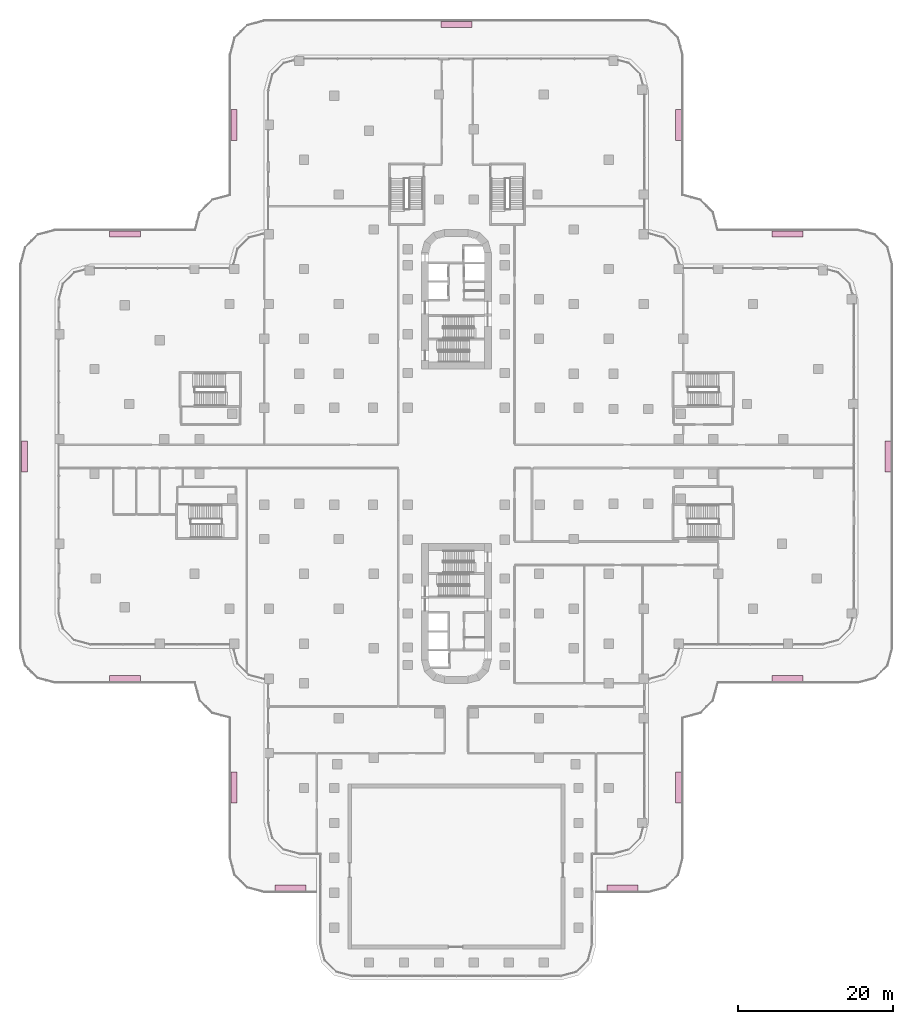
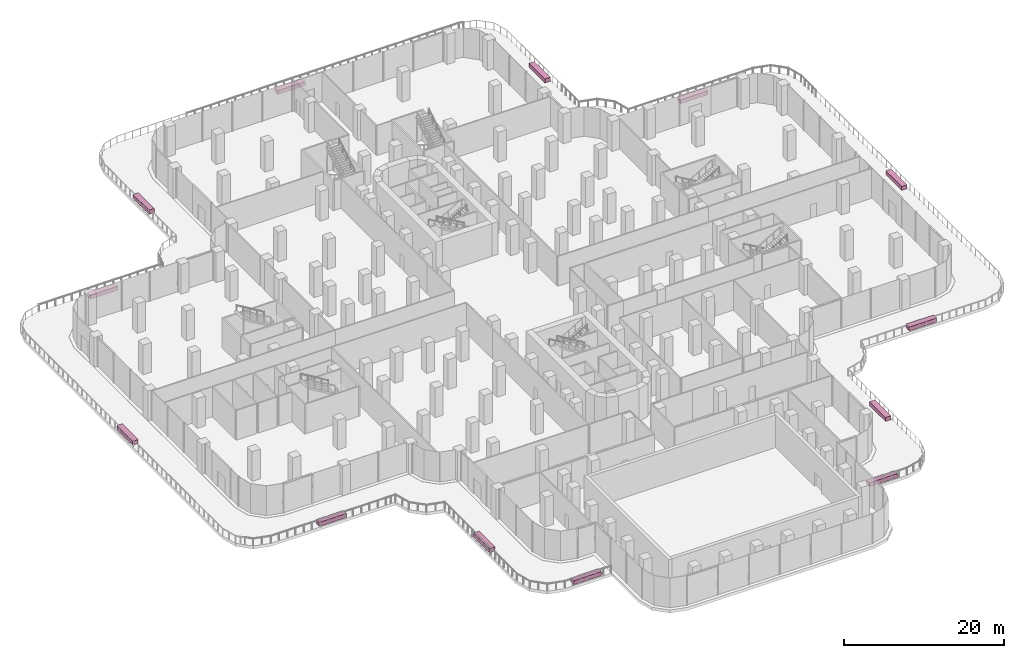
# One storey, part 30 of 30: 13 furniture elements.
"""IFC4 building model written with IfcOpenShell, lengths in metres."""

from ifc_helpers import new_model, si_unit, direction, frame, origin, origin_2d, place, context, subcontext, project, spatial, rectangle, extrude, material, type_object, element, save


model = new_model("IFC4")

# Units and contexts
model_context = context("Model", 3, precision=1e-05, world=origin(), true_north=direction((0.0, 1.0)))
body_context = subcontext(model_context, "Body", "Model", "MODEL_VIEW")
ifc_project = project(units=[si_unit("LENGTHUNIT", "METRE"), si_unit("AREAUNIT", "SQUARE_METRE"), si_unit("VOLUMEUNIT", "CUBIC_METRE"), si_unit("PLANEANGLEUNIT", "RADIAN"), si_unit("MASSUNIT", "GRAM", prefix="KILO")], contexts=[model_context])

# Site, building, storey
site_placement = place(None, origin())
site = spatial("IfcSite", under=ifc_project, at=site_placement, CompositionType="ELEMENT")
building_placement = place(site_placement, origin())
building = spatial("IfcBuilding", under=site, at=building_placement, Name="Zarbagh Exchange Tower", CompositionType="ELEMENT")
storey_placement = place(building_placement, frame((0.0, 0.0, 7.0)))
storey = spatial("IfcBuildingStorey", under=building, at=storey_placement, Name="L01", CompositionType="ELEMENT", Elevation=7.0)

# Furniture
ifc_material = material(Name="Concrete C40/50", Category="concrete")
furniture_type = type_object("IfcFurnitureType", Name="PLANTER planting bed, concrete trough", AssemblyPlace="NOTDEFINED", PredefinedType="USERDEFINED", material=ifc_material)
for number, where, z_axis, x_axis, name in (
    (1, (-21.40966796875, -55.669921875, 0.0), (0.0, 0.0, 1.0), (-1.0, 0.0, 0.0), "planter"),
    (2, (-28.669921875, -42.714111328125, 0.0), (0.0, 0.0, 1.0), (0.0, 1.0, 0.0), "planter"),
    (3, (-42.714111328125, -28.669921875, 0.0), (0.0, 0.0, 1.0), (-1.0, 0.0, 0.0), "planter"),
    (4, (-55.669921875, 0.0, 0.0), (0.0, 0.0, 1.0), (0.0, 1.0, 0.0), "planter"),
    (5, (-42.714111328125, 28.669921875, 0.0), (0.0, 0.0, 1.0), (1.0, 0.0, 0.0), "planter"),
    (6, (-28.669921875, 42.714111328125, 0.0), (0.0, 0.0, 1.0), (0.0, 1.0, 0.0), "planter"),
    (7, (0.0, 55.669921875, 0.0), (0.0, 0.0, 1.0), (1.0, 0.0, 0.0), "planter"),
    (8, (28.669921875, 42.714111328125, 0.0), (0.0, 0.0, 1.0), (0.0, -1.0, 0.0), "planter"),
    (9, (42.714111328125, 28.669921875, 0.0), (0.0, 0.0, 1.0), (1.0, 0.0, 0.0), "planter"),
    (10, (55.669921875, 0.0, 0.0), (0.0, 0.0, 1.0), (0.0, -1.0, 0.0), "planter"),
    (11, (42.714111328125, -28.669921875, 0.0), (0.0, 0.0, 1.0), (-1.0, 0.0, 0.0), "planter"),
    (12, (28.669921875, -42.714111328125, 0.0), (0.0, 0.0, 1.0), (0.0, -1.0, 0.0), "planter"),
    (13, (21.40966796875, -55.669921875, 0.0), (0.0, 0.0, 1.0), (-1.0, 0.0, 0.0), "planter"),
):
    element("IfcFurniture", number, at=place(storey_placement, frame(where, z_axis=z_axis, x_axis=x_axis)), inside=storey, type_object=furniture_type, Name=name, ObjectType="PLANTER", PredefinedType="USERDEFINED", context=body_context, shape_type="SweptSolid", body=[
        extrude(rectangle(XDim=4.0, YDim=0.800048828125, at=origin_2d()), origin(), (0.0, 0.0, 1.0), 0.60009765625),
    ])

save(model, "model.ifc")
